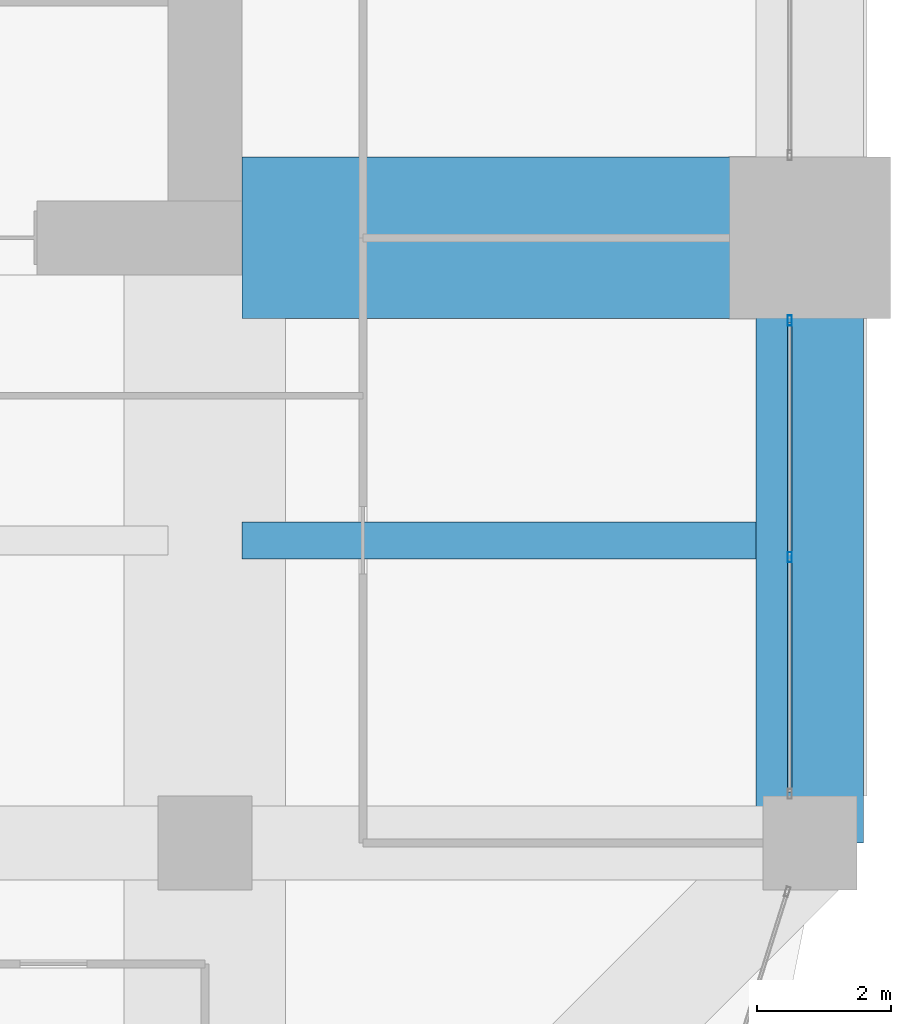
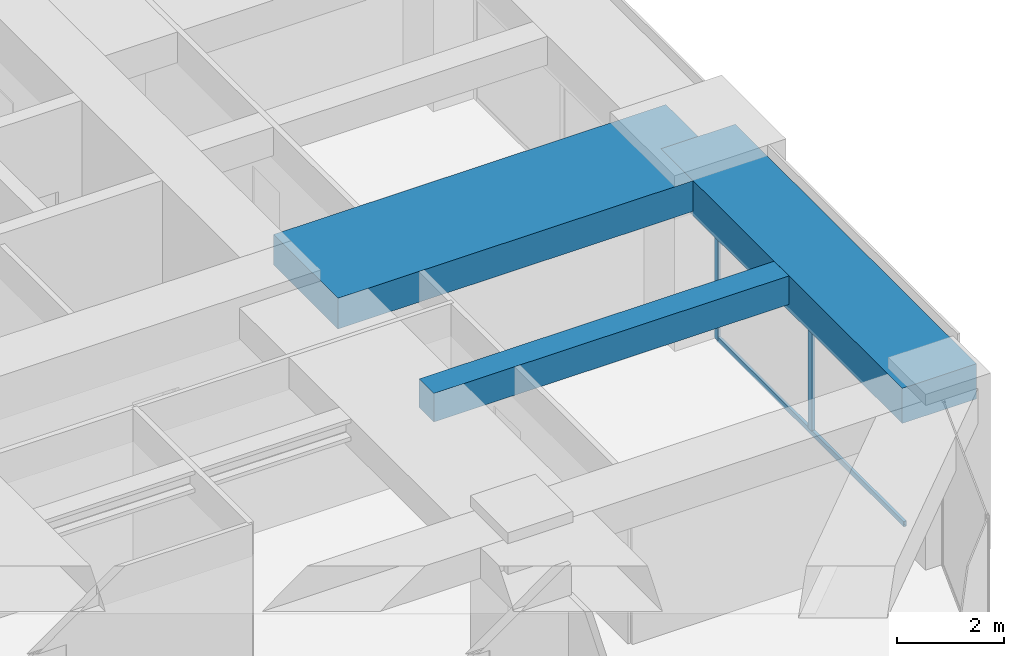
# One storey, part 17 of 35: 3 beams, 3 members, 1 element without a shape of its own.
"""IFC4 building model written with IfcOpenShell, lengths in metres."""

from ifc_helpers import new_model, si_unit, direction, frame, origin, origin_2d, place, context, subcontext, project, spatial, rectangle, hollow_rectangle, extrude, material, material_profile, profile_set, type_object, element, aggregate, save


model = new_model("IFC4")

# Units and contexts
model_context = context("Model", 3, precision=1e-05, world=origin(), true_north=direction((0.0, 1.0)))
body_context = subcontext(model_context, "Body", "Model", "MODEL_VIEW")
ifc_project = project(units=[si_unit("LENGTHUNIT", "METRE"), si_unit("AREAUNIT", "SQUARE_METRE"), si_unit("VOLUMEUNIT", "CUBIC_METRE"), si_unit("PLANEANGLEUNIT", "RADIAN"), si_unit("MASSUNIT", "GRAM", prefix="KILO")], contexts=[model_context])

# Site, building, storey
site_placement = place(None, origin())
site = spatial("IfcSite", under=ifc_project, at=site_placement, CompositionType="ELEMENT")
building_placement = place(site_placement, origin())
building = spatial("IfcBuilding", under=site, at=building_placement, Name="Zorevar Civic Tower", CompositionType="ELEMENT")
storey_placement = place(building_placement, frame((0.0, 0.0, 218.199951171875)))
storey = spatial("IfcBuildingStorey", under=building, at=storey_placement, Name="L53", CompositionType="ELEMENT", Elevation=218.199951171875)

# Beams
ifc_material_1 = material(Name="Concrete C50/60", Category="concrete")
ifc_material_profile_1 = material_profile(ifc_material_1, rectangle(XDim=2.39990234375, YDim=0.699951171875, at=origin_2d()), Name="RC 2400x700")
ifc_profile_set_1 = profile_set([ifc_material_profile_1], Name="Concrete C50/60")
beam_type_1 = type_object("IfcBeamType", Name="Beam RC 2400x700", PredefinedType="BEAM", material=ifc_profile_set_1)
beam_1_placement = place(storey_placement, frame((45.550048828125, 18.0, 3.400146484375), z_axis=(1.0, 0.0, 0.0), x_axis=(0.0, 1.0, 0.0)))
element("IfcBeam", 1, at=beam_1_placement, inside=storey, type_object=beam_type_1, Name="Girder L54", PredefinedType="BEAM", context=body_context, shape_type="SweptSolid", body=[
    extrude(rectangle(XDim=2.39990234375, YDim=0.699951171875, at=origin_2d()), origin(), (0.0, 0.0, 1.0), 8.449951171875),
])
ifc_material_2 = material(Name="Concrete C50/60", Category="concrete")
ifc_material_profile_2 = material_profile(ifc_material_2, rectangle(XDim=0.550048828125, YDim=0.64990234375, at=origin_2d()), Name="RC 550x650")
ifc_profile_set_2 = profile_set([ifc_material_profile_2], Name="Concrete C50/60")
beam_type_2 = type_object("IfcBeamType", Name="Beam RC 550x650", PredefinedType="BEAM", material=ifc_profile_set_2)
beam_2_placement = place(storey_placement, frame((45.550048828125, 13.5, 3.425048828125), z_axis=(1.0, 0.0, 0.0), x_axis=(0.0, 1.0, 0.0)))
element("IfcBeam", 2, at=beam_2_placement, inside=storey, type_object=beam_type_2, Name="Secondary beam L54", PredefinedType="BEAM", context=body_context, shape_type="SweptSolid", body=[
    extrude(rectangle(XDim=0.550048828125, YDim=0.64990234375, at=origin_2d()), origin(), (0.0, 0.0, 1.0), 7.64990234375),
])

# Curtain wall, members
ifc_material_3 = material(Name="Dark grey solar-control glass in black aluminium frame", Category="aluminium")
curtain_wall_type = type_object("IfcCurtainWallType", Name="Curtain wall CW4 high zone", PredefinedType="NOTDEFINED", material=ifc_material_3)
curtain_wall_placement = place(storey_placement, origin())
curtain_wall = element("IfcCurtainWall", 3, at=curtain_wall_placement, inside=storey, type_object=curtain_wall_type, Name="CW4 L53", PredefinedType="NOTDEFINED")
ifc_material_4 = material(Name="Aluminium, black anodised", Category="aluminium")
ifc_material_profile_3 = material_profile(ifc_material_4, hollow_rectangle(XDim=0.06005859375, YDim=0.14990234375, WallThickness=0.00390625, at=origin_2d()), Name="AL 150x60x4")
ifc_profile_set_3 = profile_set([ifc_material_profile_3], Name="Aluminium, black anodised")
member_type_1 = type_object("IfcMemberType", Name="CW4 mullion AL 150x60x4", PredefinedType="MULLION", material=ifc_profile_set_3)
member_1_placement = place(storey_placement, frame((53.699951171875, 13.25, 0.06005859375), z_axis=(0.0, 0.0, 1.0), x_axis=(-1.0, 0.0, 0.0)))
member_1 = element("IfcMember", 4, at=member_1_placement, type_object=member_type_1, Name="CW4 mullion 2", PredefinedType="MULLION", context=body_context, shape_type="SweptSolid", body=[
    extrude(hollow_rectangle(XDim=0.06005859375, YDim=0.14990234375, WallThickness=0.00390625, at=origin_2d()), origin(), (0.0, 0.0, 1.0), 2.889892578125),
])
member_2_placement = place(storey_placement, frame((53.699951171875, 16.77001953125, 0.0), z_axis=(0.0, 0.0, 1.0), x_axis=(-1.0, 0.0, 0.0)))
member_2 = element("IfcMember", 5, at=member_2_placement, type_object=member_type_1, Name="CW4 mullion 3", PredefinedType="MULLION", context=body_context, shape_type="SweptSolid", body=[
    extrude(hollow_rectangle(XDim=0.06005859375, YDim=0.14990234375, WallThickness=0.00390625, at=origin_2d()), origin(), (0.0, 0.0, 1.0), 2.949951171875),
])
ifc_material_5 = material(Name="Aluminium, black anodised", Category="aluminium")
ifc_material_profile_4 = material_profile(ifc_material_5, hollow_rectangle(XDim=0.06005859375, YDim=0.1201171875, WallThickness=0.0029296875, at=origin_2d()), Name="AL 120x60x3")
ifc_profile_set_4 = profile_set([ifc_material_profile_4], Name="Aluminium, black anodised")
member_type_2 = type_object("IfcMemberType", Name="CW4 transom AL 120x60x3", PredefinedType="USERDEFINED", material=ifc_profile_set_4)
member_3_placement = place(storey_placement, frame((53.699951171875, 9.760009765625, 0.030029296875), z_axis=(0.0, 1.0, 0.0), x_axis=(-1.0, 0.0, 0.0)))
member_3 = element("IfcMember", 6, at=member_3_placement, type_object=member_type_2, Name="CW4 sill transom", ObjectType="TRANSOM", PredefinedType="USERDEFINED", context=body_context, shape_type="SweptSolid", body=[
    extrude(hollow_rectangle(XDim=0.06005859375, YDim=0.1201171875, WallThickness=0.0029296875, at=origin_2d()), origin(), (0.0, 0.0, 1.0), 6.97998046875),
])
aggregate(curtain_wall, [member_1, member_2, member_3])

# Beam
ifc_material_6 = material(Name="Concrete C50/60", Category="concrete")
ifc_material_profile_5 = material_profile(ifc_material_6, rectangle(XDim=1.60009765625, YDim=0.800048828125, at=origin_2d()), Name="RC 1600x800")
ifc_profile_set_5 = profile_set([ifc_material_profile_5], Name="Concrete C50/60")
beam_type_3 = type_object("IfcBeamType", Name="Edge beam RC 1600x800", PredefinedType="SPANDREL", material=ifc_profile_set_5)
beam_3_placement = place(storey_placement, frame((54.0, 9.0, 3.35009765625), z_axis=(0.0, 1.0, 0.0), x_axis=(-1.0, 0.0, 0.0)))
element("IfcBeam", 7, at=beam_3_placement, inside=storey, type_object=beam_type_3, Name="Edge beam L54", PredefinedType="SPANDREL", context=body_context, shape_type="SweptSolid", body=[
    extrude(rectangle(XDim=1.60009765625, YDim=0.800048828125, at=origin_2d()), origin(), (0.0, 0.0, 1.0), 9.0),
])

save(model, "model.ifc")
